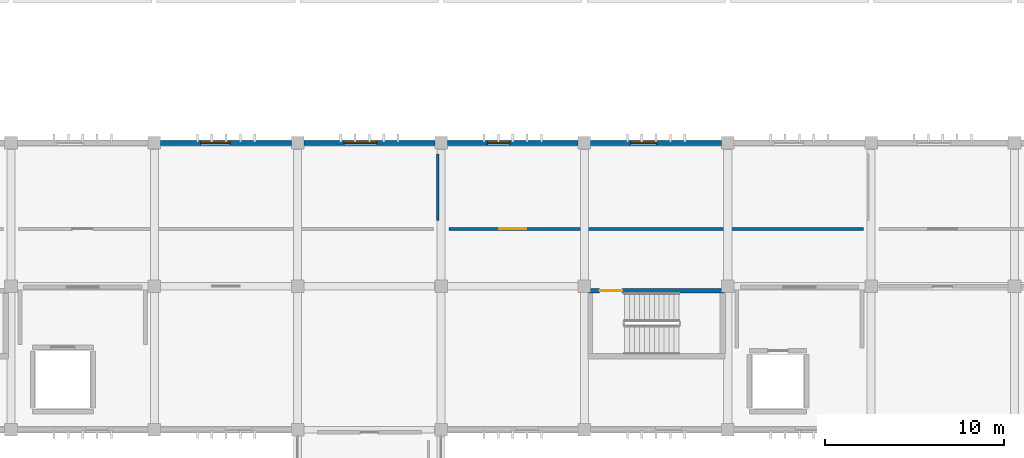
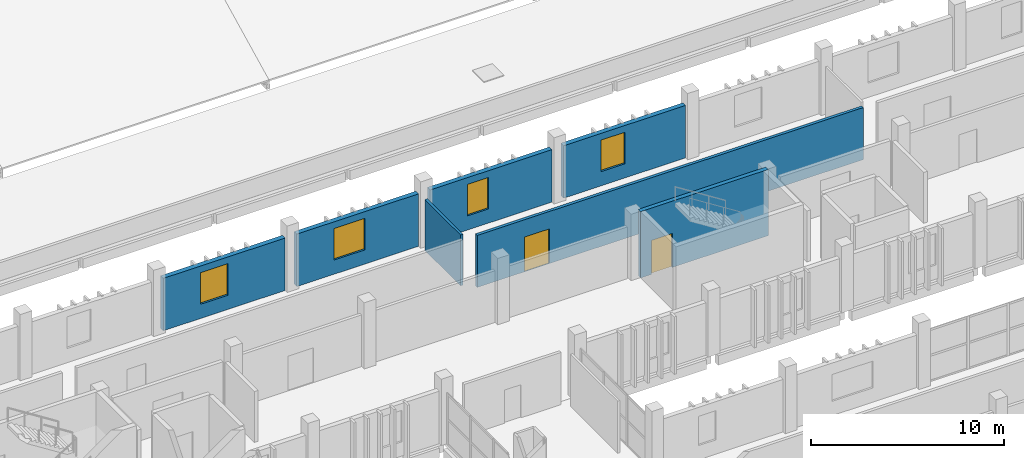
# One storey, part 121 of 137: 7 walls, 4 windows, 2 doors, 6 openings.
"""IFC4 building model written with IfcOpenShell, lengths in metres."""

from ifc_helpers import new_model, si_unit, direction, frame, frame_2d, origin, place, context, subcontext, project, spatial, rectangle, extrude, material, layer, layer_set, type_object, element, fill, save


model = new_model("IFC4")

# Units and contexts
model_context = context("Model", 3, precision=1e-05, world=origin(), true_north=direction((0.0, 1.0)))
body_context = subcontext(model_context, "Body", "Model", "MODEL_VIEW")
ifc_project = project(units=[si_unit("LENGTHUNIT", "METRE"), si_unit("AREAUNIT", "SQUARE_METRE"), si_unit("VOLUMEUNIT", "CUBIC_METRE"), si_unit("PLANEANGLEUNIT", "RADIAN"), si_unit("MASSUNIT", "GRAM", prefix="KILO")], contexts=[model_context])

# Site, building, storey
site_placement = place(None, origin())
site = spatial("IfcSite", under=ifc_project, at=site_placement, CompositionType="ELEMENT")
building_placement = place(site_placement, origin())
building = spatial("IfcBuilding", under=site, at=building_placement, Name="Jelvoka-Kovrelna Polytechnic", CompositionType="ELEMENT")
storey_placement = place(building_placement, frame((0.0, 0.0, 9.60009765625)))
storey = spatial("IfcBuildingStorey", under=building, at=storey_placement, Name="L03", CompositionType="ELEMENT", Elevation=9.60009765625)

# Wall, opening, door
ifc_material_1 = material(Name="Concrete C40/50", Category="concrete")
ifc_layer_1 = layer(ifc_material_1, 0.25)
ifc_layer_set_1 = layer_set([ifc_layer_1], Name="Concrete C40/50")
wall_type_1 = type_object("IfcWallType", Name="Wall_Core_250", PredefinedType="SOLIDWALL", material=ifc_layer_set_1)
wall_1_placement = place(storey_placement, frame((160.199951171875, 63.739990234375, 0.0), z_axis=(0.0, 0.0, 1.0), x_axis=(1.0, 0.0, 0.0)))
wall_1 = element("IfcWall", 1, at=wall_1_placement, inside=storey, type_object=wall_type_1, Name="L03 interior wall 0195", PredefinedType="SOLIDWALL", context=body_context, shape_type="SweptSolid", body=[
    extrude(rectangle(XDim=7.650146484375, YDim=0.25, at=frame_2d((3.8251953125, 0.0))), origin(), (0.0, 0.0, 1.0), 4.199951171875),
])
opening_1_placement = place(wall_1_placement, frame((0.64990234375, 0.0, 0.0)))
opening_1 = element("IfcOpeningElement", 2, at=opening_1_placement, cuts=wall_1, Name="Opening SD-L03-049", PredefinedType="OPENING", context=body_context, shape_type="SweptSolid", body=[
    extrude(rectangle(XDim=1.25, YDim=2.14990234375, at=frame_2d((0.625, 1.074951171875))), frame((0.0, 0.135009765625, 0.0), z_axis=(0.0, -1.0, 0.0), x_axis=(1.0, 0.0, 0.0)), (0.0, 0.0, 1.0), 0.27001953125),
])
ifc_material_2 = material(Name="Powder-coated steel fire door", Category="steel")
door_type_1 = type_object("IfcDoorType", Name="Door_Fire_FD02", OperationType="NOTDEFINED", PredefinedType="DOOR", material=ifc_material_2)
door_1_placement = place(opening_1_placement, origin())
door_1 = element("IfcDoor", 3, at=door_1_placement, inside=storey, type_object=door_type_1, Name="L03 interior door SD-L03-049", OperationType="SINGLE_SWING_LEFT", OverallHeight=2.14990234375, OverallWidth=1.25, PredefinedType="DOOR", context=body_context, shape_type="SweptSolid", body=[
    extrude(rectangle(XDim=1.25, YDim=2.14990234375, at=frame_2d((0.625, 1.074951171875))), frame((0.0, 0.02490234375, 0.0), z_axis=(0.0, -1.0, 0.0), x_axis=(1.0, 0.0, 0.0)), (0.0, 0.0, 1.0), 0.050048828125),
])
fill(opening_1, door_1)

ifc_material_3 = material(Name="Autoclaved aerated concrete blockwork", Category="masonry")
ifc_layer_2 = layer(ifc_material_3, 0.179931640625)
ifc_layer_set_2 = layer_set([ifc_layer_2], Name="Autoclaved aerated concrete blockwork")
wall_type_2 = type_object("IfcWallType", Name="Wall_Corridor_180", PredefinedType="PARTITIONING", material=ifc_layer_set_2)
wall_2_placement = place(storey_placement, frame((152.429931640625, 67.199951171875, 0.0), z_axis=(0.0, 0.0, 1.0), x_axis=(1.0, 0.0, 0.0)))
wall_2 = element("IfcWall", 4, at=wall_2_placement, inside=storey, type_object=wall_type_2, Name="L03 interior wall 1074", PredefinedType="PARTITIONING", context=body_context, shape_type="SweptSolid", body=[
    extrude(rectangle(XDim=23.14013671875, YDim=0.179931640625, at=frame_2d((11.570068359375, 0.0))), origin(), (0.0, 0.0, 1.0), 3.2998046875),
])
opening_2_placement = place(wall_2_placement, frame((2.830078125, 0.0, 0.0)))
opening_2 = element("IfcOpeningElement", 5, at=opening_2_placement, cuts=wall_2, Name="Opening D-L03-309", PredefinedType="OPENING", context=body_context, shape_type="SweptSolid", body=[
    extrude(rectangle(XDim=1.47998046875, YDim=2.199951171875, at=frame_2d((0.739990234375, 1.10009765625))), frame((0.0, 0.099853515625, 0.0), z_axis=(0.0, -1.0, 0.0), x_axis=(1.0, 0.0, 0.0)), (0.0, 0.0, 1.0), 0.199951171875),
])
ifc_material_4 = material(Name="Paired studio double door", Category="wood")
door_type_2 = type_object("IfcDoorType", Name="Door_Int_D17", OperationType="NOTDEFINED", PredefinedType="DOOR", material=ifc_material_4)
door_2_placement = place(opening_2_placement, origin())
door_2 = element("IfcDoor", 6, at=door_2_placement, inside=storey, type_object=door_type_2, Name="L03 interior door D-L03-309", OperationType="DOUBLE_DOOR_SINGLE_SWING", OverallHeight=2.199951171875, OverallWidth=1.47998046875, PredefinedType="DOOR", context=body_context, shape_type="SweptSolid", body=[
    extrude(rectangle(XDim=1.47998046875, YDim=2.199951171875, at=frame_2d((0.739990234375, 1.10009765625))), frame((0.0, 0.02490234375, 0.0), z_axis=(0.0, -1.0, 0.0), x_axis=(1.0, 0.0, 0.0)), (0.0, 0.0, 1.0), 0.050048828125),
])
fill(opening_2, door_2)

# Wall, opening, window
ifc_material_5 = material(Name="Precast concrete C40/50", Category="concrete")
ifc_layer_3 = layer(ifc_material_5, 0.280029296875)
ifc_layer_set_3 = layer_set([ifc_layer_3], Name="Precast concrete C40/50")
wall_type_3 = type_object("IfcWallType", Name="Wall_Ext_White_280", PredefinedType="STANDARD", material=ifc_layer_set_3)
wall_3_placement = place(storey_placement, frame((136.346923828125, 72.0, 0.0), z_axis=(0.0, 0.0, 1.0), x_axis=(1.0, 0.0, 0.0)))
wall_3 = element("IfcWall", 7, at=wall_3_placement, inside=storey, type_object=wall_type_3, Name="L03 exterior wall 0659", PredefinedType="STANDARD", context=body_context, shape_type="SweptSolid", body=[
    extrude(rectangle(XDim=7.30615234375, YDim=0.280029296875, at=frame_2d((3.653076171875, 0.0))), origin(), (0.0, 0.0, 1.0), 3.324951171875),
])
opening_3_placement = place(wall_3_placement, frame((2.23291015625, 0.0, 0.89990234375)))
opening_3 = element("IfcOpeningElement", 8, at=opening_3_placement, cuts=wall_3, Name="Opening W-L03-329", PredefinedType="OPENING", context=body_context, shape_type="SweptSolid", body=[
    extrude(rectangle(XDim=1.64990234375, YDim=2.0, at=frame_2d((0.824951171875, 1.0))), frame((0.0, 0.150146484375, 0.0), z_axis=(0.0, -1.0, 0.0), x_axis=(1.0, 0.0, 0.0)), (0.0, 0.0, 1.0), 0.300048828125),
])
ifc_material_6 = material(Name="Thermally broken anodised aluminium and low-e glazing", Category="aluminium")
window_type_1 = type_object("IfcWindowType", Name="Win_Casement_W54", PartitioningType="DOUBLE_PANEL_VERTICAL", PredefinedType="WINDOW", material=ifc_material_6)
window_1_placement = place(opening_3_placement, origin())
window_1 = element("IfcWindow", 9, at=window_1_placement, inside=storey, type_object=window_type_1, Name="L03 aluminium casement window W-L03-329", OverallHeight=2.0, OverallWidth=1.64990234375, PartitioningType="DOUBLE_PANEL_VERTICAL", PredefinedType="WINDOW", context=body_context, shape_type="SweptSolid", body=[
    extrude(rectangle(XDim=1.64990234375, YDim=2.0, at=frame_2d((0.824951171875, 1.0))), frame((0.0, 0.030029296875, 0.0), z_axis=(0.0, -1.0, 0.0), x_axis=(1.0, 0.0, 0.0)), (0.0, 0.0, 1.0), 0.06005859375),
])
fill(opening_3, window_1)

wall_4_placement = place(storey_placement, frame((144.346923828125, 72.0, 0.0), z_axis=(0.0, 0.0, 1.0), x_axis=(1.0, 0.0, 0.0)))
wall_4 = element("IfcWall", 10, at=wall_4_placement, inside=storey, type_object=wall_type_3, Name="L03 exterior wall 0660", PredefinedType="STANDARD", context=body_context, shape_type="SweptSolid", body=[
    extrude(rectangle(XDim=7.30615234375, YDim=0.280029296875, at=frame_2d((3.653076171875, 0.0))), origin(), (0.0, 0.0, 1.0), 3.324951171875),
])
opening_4_placement = place(wall_4_placement, frame((2.23291015625, 0.0, 0.89990234375)))
opening_4 = element("IfcOpeningElement", 11, at=opening_4_placement, cuts=wall_4, Name="Opening W-L03-330", PredefinedType="OPENING", context=body_context, shape_type="SweptSolid", body=[
    extrude(rectangle(XDim=1.85009765625, YDim=2.0, at=frame_2d((0.925048828125, 1.0))), frame((0.0, 0.150146484375, 0.0), z_axis=(0.0, -1.0, 0.0), x_axis=(1.0, 0.0, 0.0)), (0.0, 0.0, 1.0), 0.300048828125),
])
ifc_material_7 = material(Name="Thermally broken anodised aluminium and low-e glazing", Category="aluminium")
window_type_2 = type_object("IfcWindowType", Name="Win_Casement_W55", PartitioningType="DOUBLE_PANEL_VERTICAL", PredefinedType="WINDOW", material=ifc_material_7)
window_2_placement = place(opening_4_placement, origin())
window_2 = element("IfcWindow", 12, at=window_2_placement, inside=storey, type_object=window_type_2, Name="L03 aluminium casement window W-L03-330", OverallHeight=2.0, OverallWidth=1.85009765625, PartitioningType="DOUBLE_PANEL_VERTICAL", PredefinedType="WINDOW", context=body_context, shape_type="SweptSolid", body=[
    extrude(rectangle(XDim=1.85009765625, YDim=2.0, at=frame_2d((0.925048828125, 1.0))), frame((0.0, 0.030029296875, 0.0), z_axis=(0.0, -1.0, 0.0), x_axis=(1.0, 0.0, 0.0)), (0.0, 0.0, 1.0), 0.06005859375),
])
fill(opening_4, window_2)

wall_5_placement = place(storey_placement, frame((152.346923828125, 72.0, 0.0), z_axis=(0.0, 0.0, 1.0), x_axis=(1.0, 0.0, 0.0)))
wall_5 = element("IfcWall", 13, at=wall_5_placement, inside=storey, type_object=wall_type_3, Name="L03 exterior wall 0662", PredefinedType="STANDARD", context=body_context, shape_type="SweptSolid", body=[
    extrude(rectangle(XDim=7.30615234375, YDim=0.280029296875, at=frame_2d((3.653076171875, 0.0))), origin(), (0.0, 0.0, 1.0), 3.324951171875),
])
opening_5_placement = place(wall_5_placement, frame((2.23291015625, 0.0, 0.89990234375)))
opening_5 = element("IfcOpeningElement", 14, at=opening_5_placement, cuts=wall_5, Name="Opening W-L03-332", PredefinedType="OPENING", context=body_context, shape_type="SweptSolid", body=[
    extrude(rectangle(XDim=1.25, YDim=2.0, at=frame_2d((0.625, 1.0))), frame((0.0, 0.150146484375, 0.0), z_axis=(0.0, -1.0, 0.0), x_axis=(1.0, 0.0, 0.0)), (0.0, 0.0, 1.0), 0.300048828125),
])
ifc_material_8 = material(Name="Thermally broken anodised aluminium and low-e glazing", Category="aluminium")
window_type_3 = type_object("IfcWindowType", Name="Win_Casement_W52", PartitioningType="SINGLE_PANEL", PredefinedType="WINDOW", material=ifc_material_8)
window_3_placement = place(opening_5_placement, origin())
window_3 = element("IfcWindow", 15, at=window_3_placement, inside=storey, type_object=window_type_3, Name="L03 aluminium casement window W-L03-332", OverallHeight=2.0, OverallWidth=1.25, PartitioningType="SINGLE_PANEL", PredefinedType="WINDOW", context=body_context, shape_type="SweptSolid", body=[
    extrude(rectangle(XDim=1.25, YDim=2.0, at=frame_2d((0.625, 1.0))), frame((0.0, 0.030029296875, 0.0), z_axis=(0.0, -1.0, 0.0), x_axis=(1.0, 0.0, 0.0)), (0.0, 0.0, 1.0), 0.06005859375),
])
fill(opening_5, window_3)

wall_6_placement = place(storey_placement, frame((160.346923828125, 72.0, 0.0), z_axis=(0.0, 0.0, 1.0), x_axis=(1.0, 0.0, 0.0)))
wall_6 = element("IfcWall", 16, at=wall_6_placement, inside=storey, type_object=wall_type_3, Name="L03 exterior wall 0664", PredefinedType="STANDARD", context=body_context, shape_type="SweptSolid", body=[
    extrude(rectangle(XDim=7.30615234375, YDim=0.280029296875, at=frame_2d((3.653076171875, 0.0))), origin(), (0.0, 0.0, 1.0), 3.324951171875),
])
opening_6_placement = place(wall_6_placement, frame((2.23291015625, 0.0, 0.89990234375)))
opening_6 = element("IfcOpeningElement", 17, at=opening_6_placement, cuts=wall_6, Name="Opening W-L03-334", PredefinedType="OPENING", context=body_context, shape_type="SweptSolid", body=[
    extrude(rectangle(XDim=1.449951171875, YDim=2.0, at=frame_2d((0.72509765625, 1.0))), frame((0.0, 0.150146484375, 0.0), z_axis=(0.0, -1.0, 0.0), x_axis=(1.0, 0.0, 0.0)), (0.0, 0.0, 1.0), 0.300048828125),
])
ifc_material_9 = material(Name="Thermally broken anodised aluminium and low-e glazing", Category="aluminium")
window_type_4 = type_object("IfcWindowType", Name="Win_Casement_W53", PartitioningType="SINGLE_PANEL", PredefinedType="WINDOW", material=ifc_material_9)
window_4_placement = place(opening_6_placement, origin())
window_4 = element("IfcWindow", 18, at=window_4_placement, inside=storey, type_object=window_type_4, Name="L03 aluminium casement window W-L03-334", OverallHeight=2.0, OverallWidth=1.449951171875, PartitioningType="SINGLE_PANEL", PredefinedType="WINDOW", context=body_context, shape_type="SweptSolid", body=[
    extrude(rectangle(XDim=1.449951171875, YDim=2.0, at=frame_2d((0.72509765625, 1.0))), frame((0.0, 0.030029296875, 0.0), z_axis=(0.0, -1.0, 0.0), x_axis=(1.0, 0.0, 0.0)), (0.0, 0.0, 1.0), 0.06005859375),
])
fill(opening_6, window_4)

# Wall
ifc_material_10 = material(Name="Autoclaved aerated concrete blockwork", Category="masonry")
ifc_layer_4 = layer(ifc_material_10, 0.14990234375)
ifc_layer_set_4 = layer_set([ifc_layer_4], Name="Autoclaved aerated concrete blockwork")
wall_type_4 = type_object("IfcWallType", Name="Wall_Partition_150", PredefinedType="PARTITIONING", material=ifc_layer_set_4)
wall_7_placement = place(storey_placement, frame((151.820068359375, 67.669921875, 0.0), z_axis=(0.0, 0.0, 1.0), x_axis=(0.0, 1.0, 0.0)))
element("IfcWall", 19, at=wall_7_placement, inside=storey, type_object=wall_type_4, Name="L03 interior wall 1073", PredefinedType="PARTITIONING", context=body_context, shape_type="SweptSolid", body=[
    extrude(rectangle(XDim=3.7099609375, YDim=0.14990234375, at=frame_2d((1.85498046875, 0.0))), origin(), (0.0, 0.0, 1.0), 3.224853515625),
])

save(model, "model.ifc")
